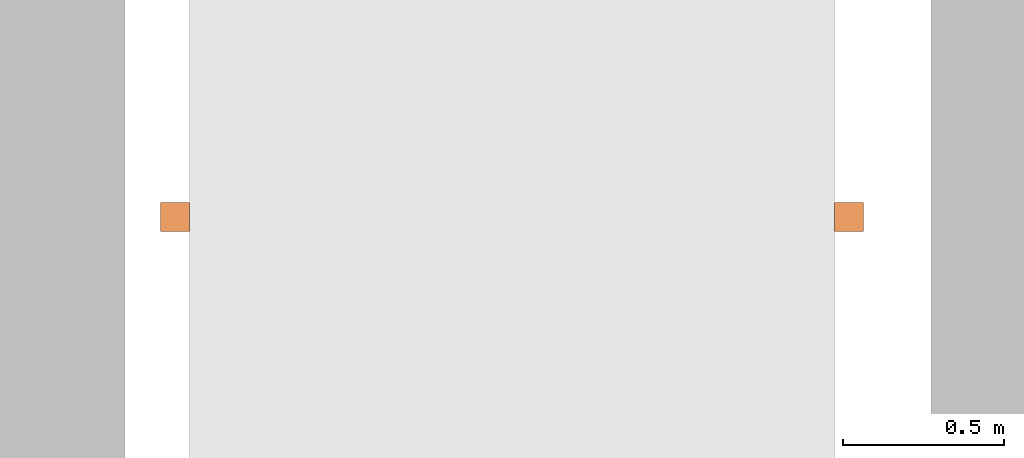
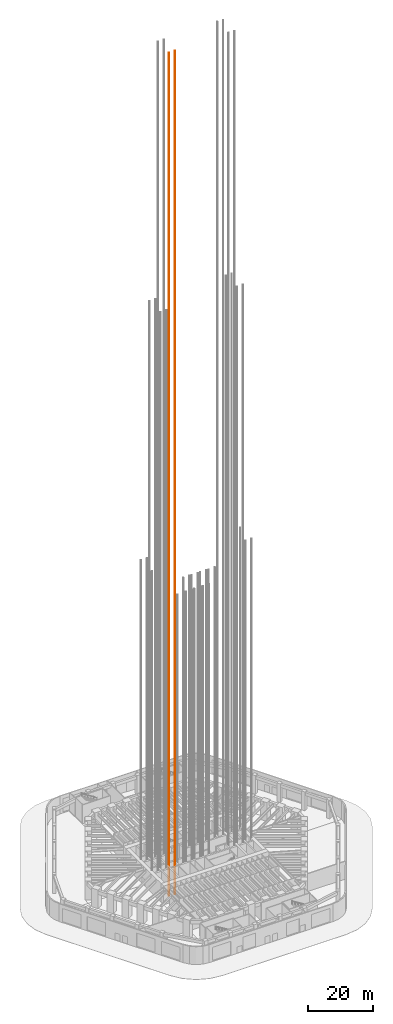
# One storey, part 16 of 23: 1 proxy.
"""IFC4 building model written with IfcOpenShell, lengths in metres."""

from ifc_helpers import new_model, si_unit, direction, frame, frame_2d, origin, origin_2d, place, context, subcontext, project, spatial, rectangle, extrude, material, element, save


model = new_model("IFC4")

# Units and contexts
model_context = context("Model", 3, precision=1e-05, world=origin(), true_north=direction((0.0, 1.0)))
body_context = subcontext(model_context, "Body", "Model", "MODEL_VIEW")
ifc_project = project(units=[si_unit("LENGTHUNIT", "METRE"), si_unit("AREAUNIT", "SQUARE_METRE"), si_unit("VOLUMEUNIT", "CUBIC_METRE"), si_unit("PLANEANGLEUNIT", "RADIAN"), si_unit("MASSUNIT", "GRAM", prefix="KILO")], contexts=[model_context])

# Site, building, storey
site_placement = place(None, origin())
site = spatial("IfcSite", under=ifc_project, at=site_placement, CompositionType="ELEMENT")
building_placement = place(site_placement, origin())
building = spatial("IfcBuilding", under=site, at=building_placement, Name="Tarfa Lantern Tower", CompositionType="ELEMENT")
storey_placement = place(building_placement, origin())
storey = spatial("IfcBuildingStorey", under=building, at=storey_placement, Name="L00", CompositionType="ELEMENT", Elevation=0.0)

# Proxy
ifc_material = material(Name="Steel S355", Category="steel")
proxy_placement = place(storey_placement, frame((-11.544921875, -3.39990234375, -4.5), z_axis=(0.0, 0.0, 1.0), x_axis=(1.0, 0.0, 0.0)))
element("IfcBuildingElementProxy", 1, at=proxy_placement, inside=storey, material=ifc_material, Name="Guide rails S12", PredefinedType="NOTDEFINED", context=body_context, shape_type="SweptSolid", body=[
    extrude(rectangle(XDim=0.090087890625, YDim=0.090087890625, at=origin_2d()), origin(), (0.0, 0.0, 1.0), 315.449951171875),
    extrude(rectangle(XDim=0.090087890625, YDim=0.090087890625, at=frame_2d((2.08984375, 0.0))), origin(), (0.0, 0.0, 1.0), 315.449951171875),
])

save(model, "model.ifc")
